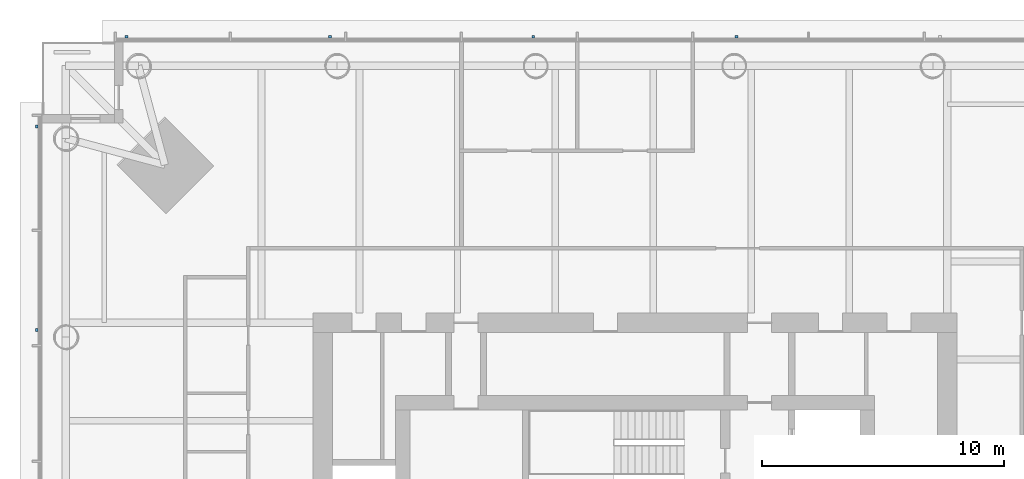
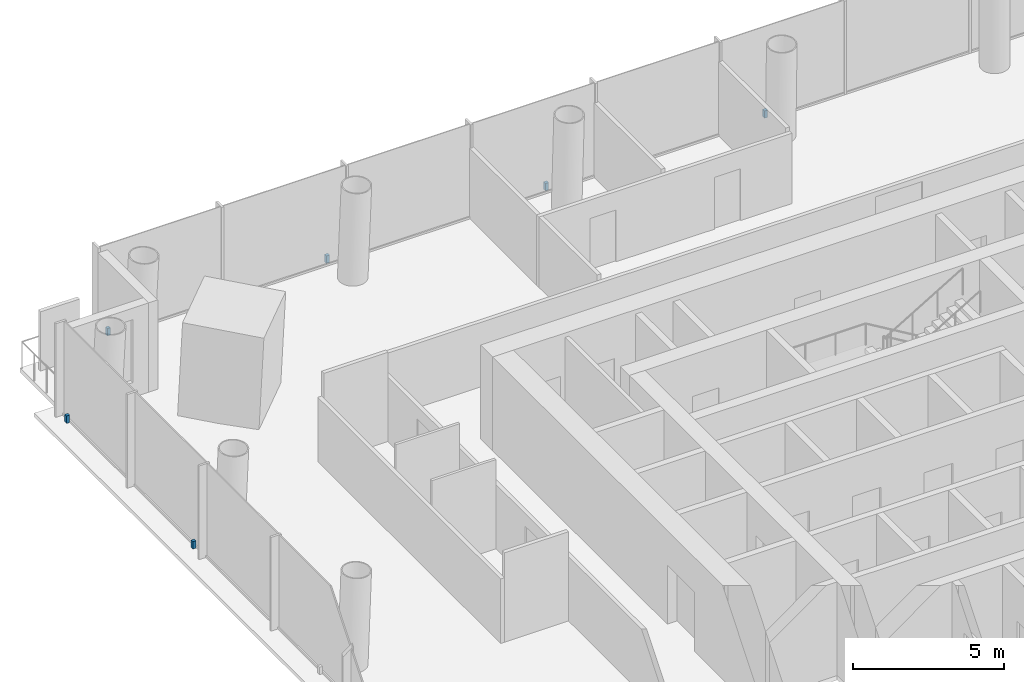
# One storey, part 20 of 26: 6 discrete accessories.
"""IFC4 building model written with IfcOpenShell, lengths in metres."""

from ifc_helpers import new_model, si_unit, direction, frame, origin, origin_2d, place, context, subcontext, project, spatial, rectangle, extrude, material, type_object, element, save


model = new_model("IFC4")

# Units and contexts
model_context = context("Model", 3, precision=1e-05, world=origin(), true_north=direction((0.0, 1.0)))
body_context = subcontext(model_context, "Body", "Model", "MODEL_VIEW")
ifc_project = project(units=[si_unit("LENGTHUNIT", "METRE"), si_unit("AREAUNIT", "SQUARE_METRE"), si_unit("VOLUMEUNIT", "CUBIC_METRE"), si_unit("PLANEANGLEUNIT", "RADIAN"), si_unit("MASSUNIT", "GRAM", prefix="KILO")], contexts=[model_context])

# Site, building, storey
site_placement = place(None, origin())
site = spatial("IfcSite", under=ifc_project, at=site_placement, CompositionType="ELEMENT")
building_placement = place(site_placement, origin())
building = spatial("IfcBuilding", under=site, at=building_placement, Name="Ostroluk Exchange", CompositionType="ELEMENT")
storey_placement = place(building_placement, frame((0.0, 0.0, 36.199951171875)))
storey = spatial("IfcBuildingStorey", under=building, at=storey_placement, Name="L08", CompositionType="ELEMENT", Elevation=36.199951171875)

# Discrete accessories
ifc_material = material(Name="Stainless steel", Category="steel")
discrete_accessory_type = type_object("IfcDiscreteAccessoryType", Name="Fall-arrest anchor PN-EN 795 type C", PredefinedType="USERDEFINED", material=ifc_material)
for number, where, z_axis, x_axis, name in (
    (1, (24.0, 70.7099609375, 0.0), (0.0, 0.0, 1.0), (1.0, 0.0, 0.0), "Fall-arrest anchor L08 north 1"),
    (2, (32.39990234375, 70.7099609375, 0.0), (0.0, 0.0, 1.0), (1.0, 0.0, 0.0), "Fall-arrest anchor L08 north 2"),
    (3, (40.800048828125, 70.7099609375, 0.0), (0.0, 0.0, 1.0), (1.0, 0.0, 0.0), "Fall-arrest anchor L08 north 3"),
    (4, (49.199951171875, 70.7099609375, 0.0), (0.0, 0.0, 1.0), (1.0, 0.0, 0.0), "Fall-arrest anchor L08 north 4"),
    (5, (20.2900390625, 58.60009765625, 0.0), (0.0, 0.0, 1.0), (1.0, 0.0, 0.0), "Fall-arrest anchor L08 west 5"),
    (6, (20.2900390625, 67.0, 0.0), (0.0, 0.0, 1.0), (1.0, 0.0, 0.0), "Fall-arrest anchor L08 west 6"),
):
    element("IfcDiscreteAccessory", number, at=place(storey_placement, frame(where, z_axis=z_axis, x_axis=x_axis)), inside=storey, type_object=discrete_accessory_type, Name=name, ObjectType="FALL ARREST ANCHOR", PredefinedType="USERDEFINED", context=body_context, shape_type="SweptSolid", body=[
        extrude(rectangle(XDim=0.1201171875, YDim=0.1201171875, at=origin_2d()), origin(), (0.0, 0.0, 1.0), 0.300048828125),
    ])

save(model, "model.ifc")
